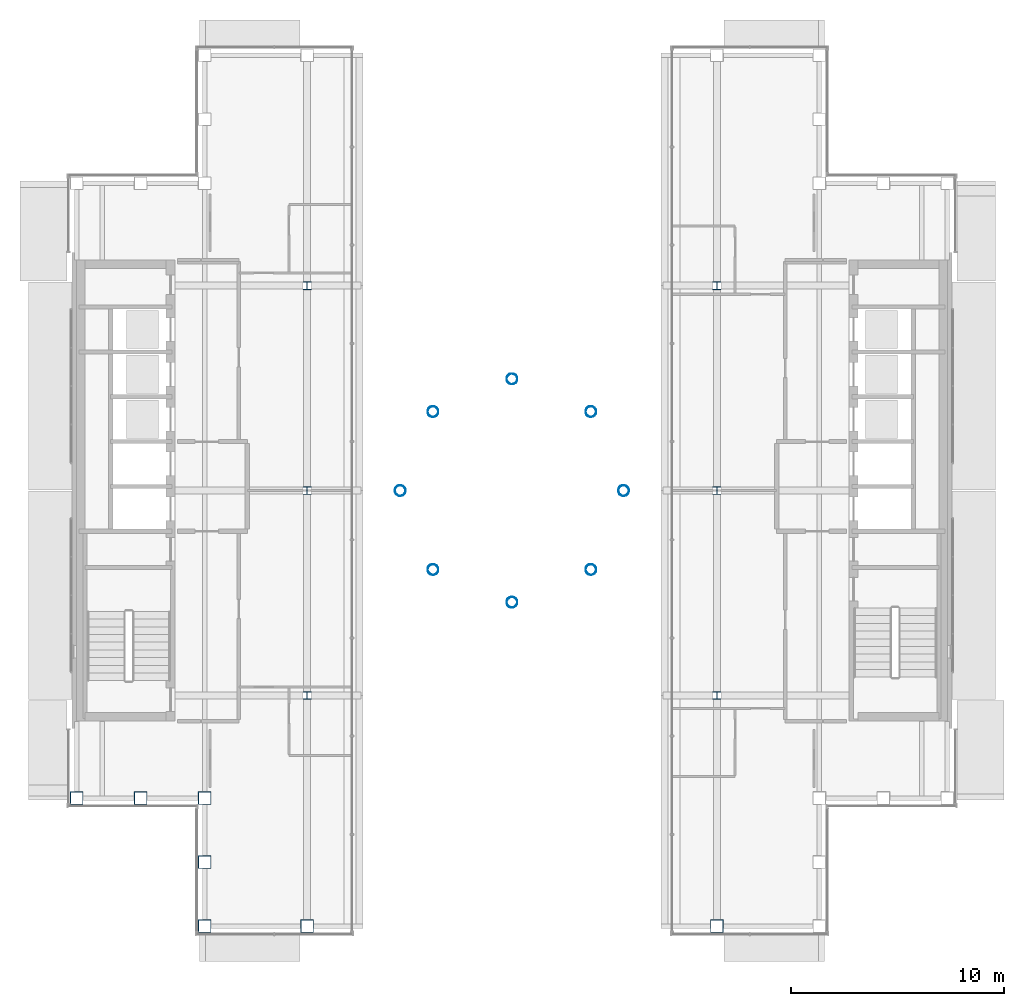
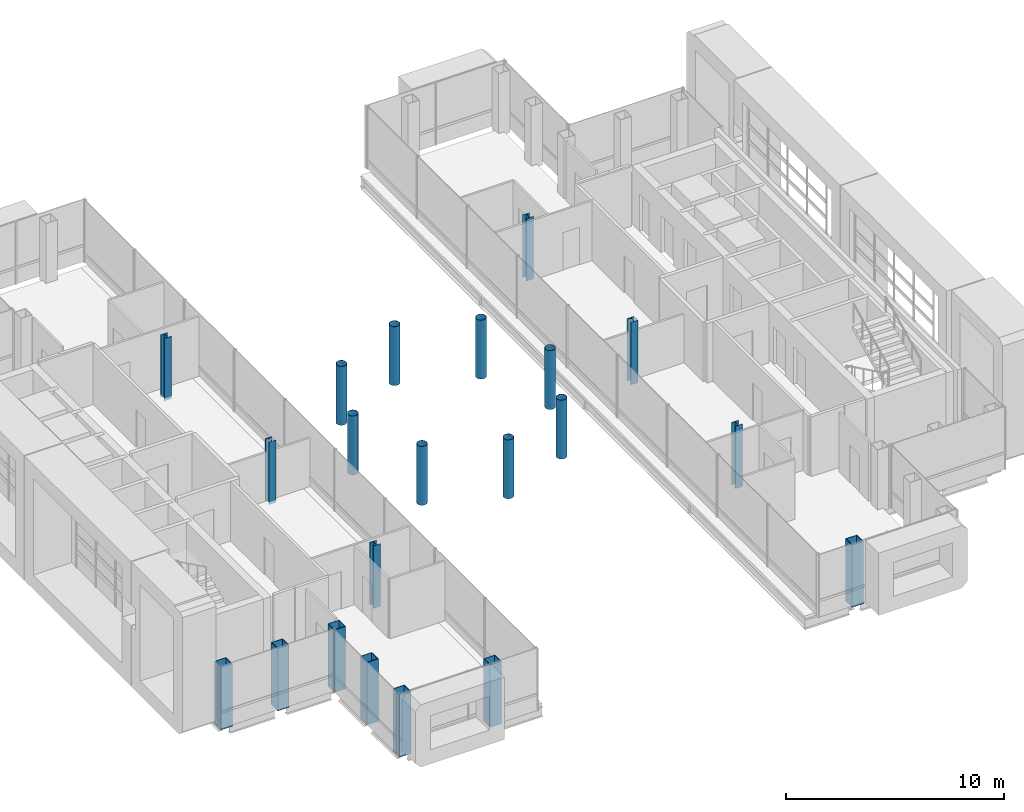
# One storey, part 1 of 21: 21 columns.
"""IFC4 building model written with IfcOpenShell, lengths in metres."""

from ifc_helpers import new_model, si_unit, direction, frame, origin, origin_2d, place, context, subcontext, project, spatial, hollow_rectangle, hollow_circle, i_section, extrude, material, material_profile, profile_set, type_object, element, save


model = new_model("IFC4")

# Units and contexts
model_context = context("Model", 3, precision=1e-05, world=origin(), true_north=direction((0.0, 1.0)))
body_context = subcontext(model_context, "Body", "Model", "MODEL_VIEW")
ifc_project = project(units=[si_unit("LENGTHUNIT", "METRE"), si_unit("AREAUNIT", "SQUARE_METRE"), si_unit("VOLUMEUNIT", "CUBIC_METRE"), si_unit("PLANEANGLEUNIT", "RADIAN"), si_unit("MASSUNIT", "GRAM", prefix="KILO")], contexts=[model_context])

# Site, building, storey
site_placement = place(None, origin())
site = spatial("IfcSite", under=ifc_project, at=site_placement, CompositionType="ELEMENT")
building_placement = place(site_placement, origin())
building = spatial("IfcBuilding", under=site, at=building_placement, Name="Cobrizo Arcos Hotel Tower", CompositionType="ELEMENT")
storey_placement = place(building_placement, frame((0.0, 0.0, 269.0)))
storey = spatial("IfcBuildingStorey", under=building, at=storey_placement, Name="L71", CompositionType="ELEMENT", Elevation=269.0)

# Columns
ifc_material_1 = material(Name="Steel ASTM A572 Grade 50", Category="steel")
ifc_material_profile_1 = material_profile(ifc_material_1, hollow_rectangle(XDim=0.60009765625, YDim=0.60009765625, WallThickness=0.030029296875, at=origin_2d()), Name="BOX 600X600X30")
ifc_profile_set_1 = profile_set([ifc_material_profile_1], Name="Steel ASTM A572 Grade 50")
column_type_1 = type_object("IfcColumnType", Name="BOX 600X600X30 column", PredefinedType="COLUMN", material=ifc_profile_set_1)
for number, where, z_axis, x_axis, name in (
    (1, (-14.39990234375, -20.39990234375, -0.14990234375), (0.0, 0.0, 1.0), (1.0, 0.0, 0.0), "Perimeter column C12, L71, no. 01"),
    (2, (-9.60009765625, -20.39990234375, -0.14990234375), (0.0, 0.0, 1.0), (1.0, 0.0, 0.0), "Perimeter column C12, L71, no. 03"),
    (3, (9.60009765625, -20.39990234375, -0.14990234375), (0.0, 0.0, 1.0), (1.0, 0.0, 0.0), "Perimeter column C12, L71, no. 05"),
    (4, (-20.39990234375, -14.39990234375, -0.14990234375), (0.0, 0.0, 1.0), (1.0, 0.0, 0.0), "Perimeter column C12, L71, no. 09"),
    (5, (-14.39990234375, -14.39990234375, -0.14990234375), (0.0, 0.0, 1.0), (1.0, 0.0, 0.0), "Perimeter column C12, L71, no. 12"),
    (6, (-14.39990234375, -17.39990234375, -0.14990234375), (0.0, 0.0, 1.0), (1.0, 0.0, 0.0), "Perimeter column C12, L71, no. 13"),
    (7, (-17.39990234375, -14.39990234375, -0.14990234375), (0.0, 0.0, 1.0), (1.0, 0.0, 0.0), "Perimeter column C12, L71, no. 14"),
):
    element("IfcColumn", number, at=place(storey_placement, frame(where, z_axis=z_axis, x_axis=x_axis)), inside=storey, type_object=column_type_1, Name=name, PredefinedType="COLUMN", context=body_context, shape_type="SweptSolid", body=[
        extrude(hollow_rectangle(XDim=0.60009765625, YDim=0.60009765625, WallThickness=0.030029296875, at=origin_2d()), origin(), (0.0, 0.0, 1.0), 3.5),
    ])
ifc_material_2 = material(Name="Steel ASTM A500 Grade C", Category="steel")
ifc_material_profile_2 = material_profile(ifc_material_2, hollow_circle(Radius=0.25390625, WallThickness=0.01171875, at=origin_2d()), Name="HSS20.000X0.500")
ifc_profile_set_2 = profile_set([ifc_material_profile_2], Name="Steel ASTM A500 Grade C")
column_type_2 = type_object("IfcColumnType", Name="HSS20.000X0.500 drum column", PredefinedType="COLUMN", material=ifc_profile_set_2)
for number, where, z_axis, x_axis, name in (
    (8, (5.232666015625, 0.0, 0.0), (0.0, 0.0, 1.0), (1.0, 0.0, 0.0), "Drum column DC1, line 0, no. 1"),
    (9, (3.699951171875, 3.699951171875, 0.0), (0.0, 0.0, 1.0), (1.0, 0.0, 0.0), "Drum column DC2, line 1, no. 1"),
    (10, (0.0, 5.232666015625, 0.0), (0.0, 0.0, 1.0), (1.0, 0.0, 0.0), "Drum column DC3, line 2, no. 1"),
    (11, (-3.699951171875, 3.699951171875, 0.0), (0.0, 0.0, 1.0), (1.0, 0.0, 0.0), "Drum column DC4, line 3, no. 1"),
    (12, (-5.232666015625, 0.0, 0.0), (0.0, 0.0, 1.0), (1.0, 0.0, 0.0), "Drum column DC5, line 4, no. 1"),
    (13, (-3.699951171875, -3.699951171875, 0.0), (0.0, 0.0, 1.0), (1.0, 0.0, 0.0), "Drum column DC6, line 5, no. 1"),
    (14, (0.0, -5.232666015625, 0.0), (0.0, 0.0, 1.0), (1.0, 0.0, 0.0), "Drum column DC7, line 6, no. 1"),
    (15, (3.699951171875, -3.699951171875, 0.0), (0.0, 0.0, 1.0), (1.0, 0.0, 0.0), "Drum column DC8, line 7, no. 1"),
):
    element("IfcColumn", number, at=place(storey_placement, frame(where, z_axis=z_axis, x_axis=x_axis)), inside=storey, type_object=column_type_2, Name=name, PredefinedType="COLUMN", context=body_context, shape_type="SweptSolid", body=[
        extrude(hollow_circle(Radius=0.25390625, WallThickness=0.01171875, at=origin_2d()), origin(), (0.0, 0.0, 1.0), 3.300048828125),
    ])
ifc_material_3 = material(Name="Steel ASTM A992 Grade 50", Category="steel")
ifc_material_profile_3 = material_profile(ifc_material_3, i_section(OverallWidth=0.368408203125, OverallDepth=0.355712890625, WebThickness=0.01123046875, FlangeThickness=0.01806640625, at=origin_2d()), Name="W14X90")
ifc_profile_set_3 = profile_set([ifc_material_profile_3], Name="Steel ASTM A992 Grade 50")
column_type_3 = type_object("IfcColumnType", Name="W14X90 interior column", PredefinedType="COLUMN", material=ifc_profile_set_3)
for number, where, z_axis, x_axis, name in (
    (16, (-9.60009765625, -9.60009765625, -0.14990234375), (0.0, 0.0, 1.0), (1.0, 0.0, 0.0), "Interior column C13, L71, no. 00"),
    (17, (-9.60009765625, 0.0, -0.14990234375), (0.0, 0.0, 1.0), (1.0, 0.0, 0.0), "Interior column C13, L71, no. 01"),
    (18, (-9.60009765625, 9.60009765625, -0.14990234375), (0.0, 0.0, 1.0), (1.0, 0.0, 0.0), "Interior column C13, L71, no. 02"),
    (19, (9.60009765625, -9.60009765625, -0.14990234375), (0.0, 0.0, 1.0), (1.0, 0.0, 0.0), "Interior column C13, L71, no. 03"),
    (20, (9.60009765625, 0.0, -0.14990234375), (0.0, 0.0, 1.0), (1.0, 0.0, 0.0), "Interior column C13, L71, no. 04"),
    (21, (9.60009765625, 9.60009765625, -0.14990234375), (0.0, 0.0, 1.0), (1.0, 0.0, 0.0), "Interior column C13, L71, no. 05"),
):
    element("IfcColumn", number, at=place(storey_placement, frame(where, z_axis=z_axis, x_axis=x_axis)), inside=storey, type_object=column_type_3, Name=name, PredefinedType="COLUMN", context=body_context, shape_type="SweptSolid", body=[
        extrude(i_section(OverallWidth=0.368408203125, OverallDepth=0.355712890625, WebThickness=0.01123046875, FlangeThickness=0.01806640625, at=origin_2d()), origin(), (0.0, 0.0, 1.0), 3.5),
    ])

save(model, "model.ifc")
